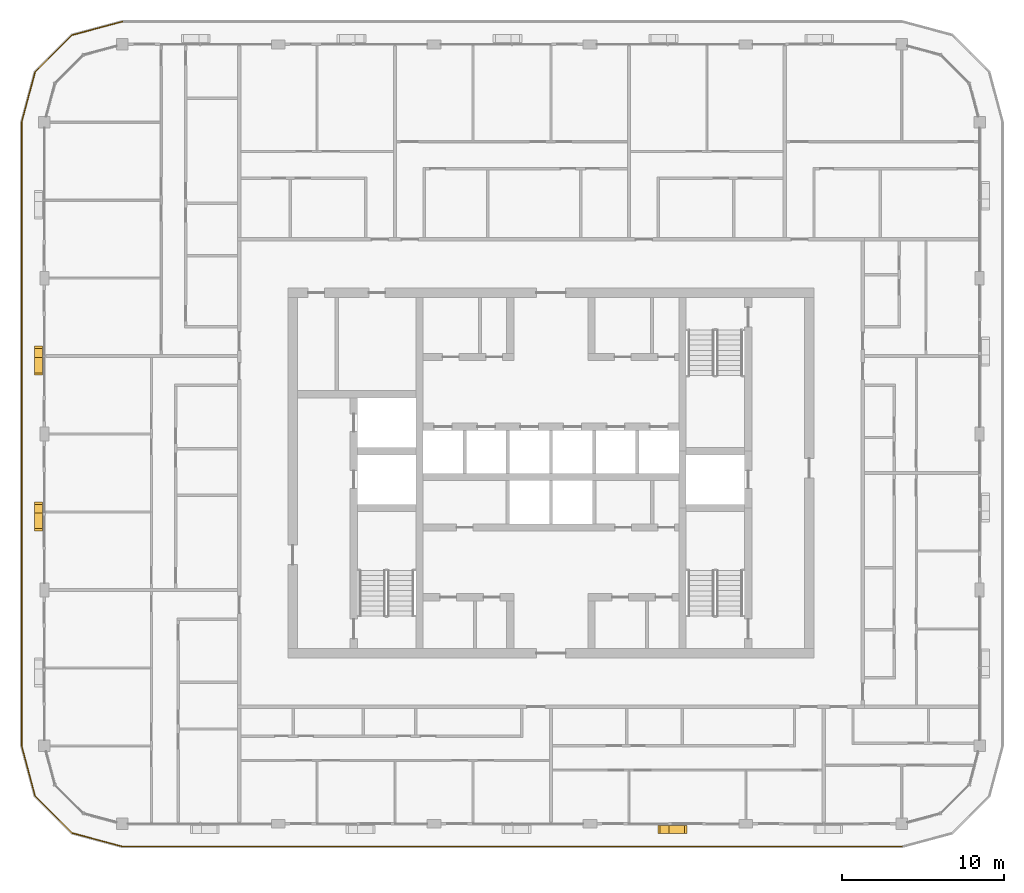
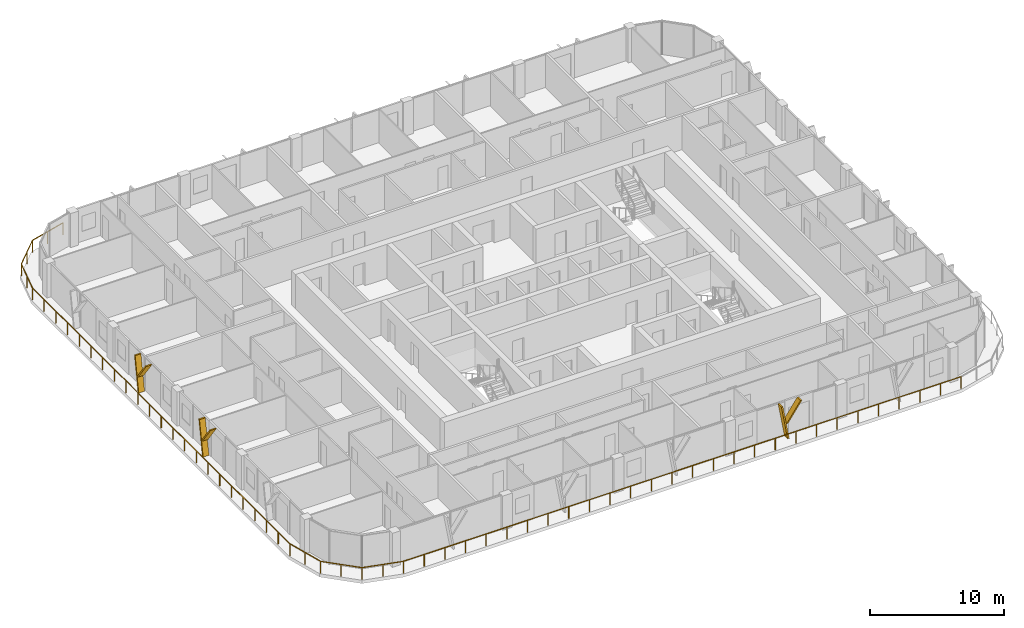
# One storey, part 18 of 22: 6 shading devices, 1 railing.
"""IFC4 building model written with IfcOpenShell, lengths in metres."""

from ifc_helpers import new_model, si_unit, direction, frame, origin, origin_2d, place, context, subcontext, project, spatial, polyline, circle, outline, extrude, material, type_object, element, save


model = new_model("IFC4")

# Units and contexts
model_context = context("Model", 3, precision=1e-05, world=origin(), true_north=direction((0.0, 1.0)))
body_context = subcontext(model_context, "Body", "Model", "MODEL_VIEW")
ifc_project = project(units=[si_unit("LENGTHUNIT", "METRE"), si_unit("AREAUNIT", "SQUARE_METRE"), si_unit("VOLUMEUNIT", "CUBIC_METRE"), si_unit("PLANEANGLEUNIT", "RADIAN"), si_unit("MASSUNIT", "GRAM", prefix="KILO")], contexts=[model_context])

# Site, building, storey
site_placement = place(None, origin())
site = spatial("IfcSite", under=ifc_project, at=site_placement, CompositionType="ELEMENT")
building_placement = place(site_placement, origin())
building = spatial("IfcBuilding", under=site, at=building_placement, Name="Madar Terraces", CompositionType="ELEMENT")
storey_placement = place(building_placement, frame((0.0, 0.0, 259.699951171875)))
storey = spatial("IfcBuildingStorey", under=building, at=storey_placement, Name="L68", CompositionType="ELEMENT", Elevation=259.699951171875)

# Railing
ifc_material_1 = material(Name="Glass, safety glazing, with stainless steel posts", Category="steel")
railing_type = type_object("IfcRailingType", Name="Balcony glass guard 1100", PredefinedType="GUARDRAIL", material=ifc_material_1)
railing_placement = place(storey_placement, frame((4.800048828125, 54.199951171875, 0.0)))
element("IfcRailing", 1, at=railing_placement, inside=storey, type_object=railing_type, Name="Balcony guard", PredefinedType="GUARDRAIL", context=body_context, shape_type="SweptSolid", body=[
    extrude(circle(Radius=0.02392578125, at=origin_2d()), frame((0.0, 0.0, 1.076171875), z_axis=(-0.9659337912, -0.258789317819, 0.0), x_axis=(0.258789317819, -0.9659337912, 0.0)), (0.0, 0.0, 1.0), 3.20947265625),
    extrude(circle(Radius=0.02392578125, at=origin_2d()), frame((-3.10009765625, -0.83056640625, 1.076171875), z_axis=(-0.707106781187, -0.707106781187, 0.0), x_axis=(0.707106781187, -0.707106781187, 0.0)), (0.0, 0.0, 1.0), 3.209228515625),
    extrude(circle(Radius=0.02392578125, at=origin_2d()), frame((-5.369384765625, -3.099853515625, 1.076171875), z_axis=(-0.258789317819, -0.9659337912, 0.0), x_axis=(0.9659337912, -0.258789317819, 0.0)), (0.0, 0.0, 1.0), 3.20947265625),
    extrude(circle(Radius=0.02392578125, at=origin_2d()), frame((-6.199951171875, -6.199951171875, 1.076171875), z_axis=(0.0, -1.0, 0.0), x_axis=(1.0, 0.0, 0.0)), (0.0, 0.0, 1.0), 38.39990234375),
    extrude(circle(Radius=0.02392578125, at=origin_2d()), frame((-6.199951171875, -44.599853515625, 1.076171875), z_axis=(0.258789317819, -0.9659337912, 0.0), x_axis=(0.9659337912, 0.258789317819, 0.0)), (0.0, 0.0, 1.0), 3.20947265625),
    extrude(circle(Radius=0.02392578125, at=origin_2d()), frame((-5.369384765625, -47.699951171875, 1.076171875), z_axis=(0.707106781187, -0.707106781187, 0.0), x_axis=(0.707106781187, 0.707106781187, 0.0)), (0.0, 0.0, 1.0), 3.209228515625),
    extrude(circle(Radius=0.02392578125, at=origin_2d()), frame((-3.10009765625, -49.96923828125, 1.076171875), z_axis=(0.965914773555, -0.258860290944, 0.0), x_axis=(0.258860290944, 0.965914773555, 0.0)), (0.0, 0.0, 1.0), 3.20947265625),
    extrude(circle(Radius=0.02392578125, at=origin_2d()), frame((0.0, -50.800048828125, 1.076171875), z_axis=(1.0, 0.0, 0.0), x_axis=(0.0, 1.0, 0.0)), (0.0, 0.0, 1.0), 48.0),
    extrude(circle(Radius=0.02099609375, at=origin_2d()), origin(), (0.0, 0.0, 1.0), 1.052001953125),
    extrude(circle(Radius=0.02099609375, at=origin_2d()), frame((-1.550048828125, -0.415283203125, 0.0)), (0.0, 0.0, 1.0), 1.052001953125),
    extrude(circle(Radius=0.02099609375, at=origin_2d()), frame((-3.10009765625, -0.83056640625, 0.0)), (0.0, 0.0, 1.0), 1.052001953125),
    extrude(circle(Radius=0.02099609375, at=origin_2d()), frame((-4.23486328125, -1.96533203125, 0.0)), (0.0, 0.0, 1.0), 1.052001953125),
    extrude(circle(Radius=0.02099609375, at=origin_2d()), frame((-5.369384765625, -3.099853515625, 0.0)), (0.0, 0.0, 1.0), 1.052001953125),
    extrude(circle(Radius=0.02099609375, at=origin_2d()), frame((-5.78466796875, -4.64990234375, 0.0)), (0.0, 0.0, 1.0), 1.052001953125),
    extrude(circle(Radius=0.02099609375, at=origin_2d()), frame((-6.199951171875, -6.199951171875, 0.0)), (0.0, 0.0, 1.0), 1.052001953125),
    extrude(circle(Radius=0.02099609375, at=origin_2d()), frame((-6.199951171875, -7.9453125, 0.0)), (0.0, 0.0, 1.0), 1.052001953125),
    extrude(circle(Radius=0.02099609375, at=origin_2d()), frame((-6.199951171875, -9.69091796875, 0.0)), (0.0, 0.0, 1.0), 1.052001953125),
    extrude(circle(Radius=0.02099609375, at=origin_2d()), frame((-6.199951171875, -11.436279296875, 0.0)), (0.0, 0.0, 1.0), 1.052001953125),
    extrude(circle(Radius=0.02099609375, at=origin_2d()), frame((-6.199951171875, -13.181640625, 0.0)), (0.0, 0.0, 1.0), 1.052001953125),
    extrude(circle(Radius=0.02099609375, at=origin_2d()), frame((-6.199951171875, -14.92724609375, 0.0)), (0.0, 0.0, 1.0), 1.052001953125),
    extrude(circle(Radius=0.02099609375, at=origin_2d()), frame((-6.199951171875, -16.672607421875, 0.0)), (0.0, 0.0, 1.0), 1.052001953125),
    extrude(circle(Radius=0.02099609375, at=origin_2d()), frame((-6.199951171875, -18.418212890625, 0.0)), (0.0, 0.0, 1.0), 1.052001953125),
    extrude(circle(Radius=0.02099609375, at=origin_2d()), frame((-6.199951171875, -20.16357421875, 0.0)), (0.0, 0.0, 1.0), 1.052001953125),
    extrude(circle(Radius=0.02099609375, at=origin_2d()), frame((-6.199951171875, -21.908935546875, 0.0)), (0.0, 0.0, 1.0), 1.052001953125),
    extrude(circle(Radius=0.02099609375, at=origin_2d()), frame((-6.199951171875, -23.654541015625, 0.0)), (0.0, 0.0, 1.0), 1.052001953125),
    extrude(circle(Radius=0.02099609375, at=origin_2d()), frame((-6.199951171875, -25.39990234375, 0.0)), (0.0, 0.0, 1.0), 1.052001953125),
    extrude(circle(Radius=0.02099609375, at=origin_2d()), frame((-6.199951171875, -27.145263671875, 0.0)), (0.0, 0.0, 1.0), 1.052001953125),
    extrude(circle(Radius=0.02099609375, at=origin_2d()), frame((-6.199951171875, -28.890869140625, 0.0)), (0.0, 0.0, 1.0), 1.052001953125),
    extrude(circle(Radius=0.02099609375, at=origin_2d()), frame((-6.199951171875, -30.63623046875, 0.0)), (0.0, 0.0, 1.0), 1.052001953125),
    extrude(circle(Radius=0.02099609375, at=origin_2d()), frame((-6.199951171875, -32.381591796875, 0.0)), (0.0, 0.0, 1.0), 1.052001953125),
    extrude(circle(Radius=0.02099609375, at=origin_2d()), frame((-6.199951171875, -34.127197265625, 0.0)), (0.0, 0.0, 1.0), 1.052001953125),
    extrude(circle(Radius=0.02099609375, at=origin_2d()), frame((-6.199951171875, -35.87255859375, 0.0)), (0.0, 0.0, 1.0), 1.052001953125),
    extrude(circle(Radius=0.02099609375, at=origin_2d()), frame((-6.199951171875, -37.6181640625, 0.0)), (0.0, 0.0, 1.0), 1.052001953125),
    extrude(circle(Radius=0.02099609375, at=origin_2d()), frame((-6.199951171875, -39.363525390625, 0.0)), (0.0, 0.0, 1.0), 1.052001953125),
    extrude(circle(Radius=0.02099609375, at=origin_2d()), frame((-6.199951171875, -41.10888671875, 0.0)), (0.0, 0.0, 1.0), 1.052001953125),
    extrude(circle(Radius=0.02099609375, at=origin_2d()), frame((-6.199951171875, -42.8544921875, 0.0)), (0.0, 0.0, 1.0), 1.052001953125),
    extrude(circle(Radius=0.02099609375, at=origin_2d()), frame((-6.199951171875, -44.599853515625, 0.0)), (0.0, 0.0, 1.0), 1.052001953125),
    extrude(circle(Radius=0.02099609375, at=origin_2d()), frame((-5.78466796875, -46.14990234375, 0.0)), (0.0, 0.0, 1.0), 1.052001953125),
    extrude(circle(Radius=0.02099609375, at=origin_2d()), frame((-5.369384765625, -47.699951171875, 0.0)), (0.0, 0.0, 1.0), 1.052001953125),
    extrude(circle(Radius=0.02099609375, at=origin_2d()), frame((-4.23486328125, -48.83447265625, 0.0)), (0.0, 0.0, 1.0), 1.052001953125),
    extrude(circle(Radius=0.02099609375, at=origin_2d()), frame((-3.10009765625, -49.96923828125, 0.0)), (0.0, 0.0, 1.0), 1.052001953125),
    extrude(circle(Radius=0.02099609375, at=origin_2d()), frame((-1.550048828125, -50.384765625, 0.0)), (0.0, 0.0, 1.0), 1.052001953125),
    extrude(circle(Radius=0.02099609375, at=origin_2d()), frame((0.0, -50.800048828125, 0.0)), (0.0, 0.0, 1.0), 1.052001953125),
    extrude(circle(Radius=0.02099609375, at=origin_2d()), frame((1.77783203125, -50.800048828125, 0.0)), (0.0, 0.0, 1.0), 1.052001953125),
    extrude(circle(Radius=0.02099609375, at=origin_2d()), frame((3.5556640625, -50.800048828125, 0.0)), (0.0, 0.0, 1.0), 1.052001953125),
    extrude(circle(Radius=0.02099609375, at=origin_2d()), frame((5.333251953125, -50.800048828125, 0.0)), (0.0, 0.0, 1.0), 1.052001953125),
    extrude(circle(Radius=0.02099609375, at=origin_2d()), frame((7.111083984375, -50.800048828125, 0.0)), (0.0, 0.0, 1.0), 1.052001953125),
    extrude(circle(Radius=0.02099609375, at=origin_2d()), frame((8.888916015625, -50.800048828125, 0.0)), (0.0, 0.0, 1.0), 1.052001953125),
    extrude(circle(Radius=0.02099609375, at=origin_2d()), frame((10.666748046875, -50.800048828125, 0.0)), (0.0, 0.0, 1.0), 1.052001953125),
    extrude(circle(Radius=0.02099609375, at=origin_2d()), frame((12.4443359375, -50.800048828125, 0.0)), (0.0, 0.0, 1.0), 1.052001953125),
    extrude(circle(Radius=0.02099609375, at=origin_2d()), frame((14.22216796875, -50.800048828125, 0.0)), (0.0, 0.0, 1.0), 1.052001953125),
    extrude(circle(Radius=0.02099609375, at=origin_2d()), frame((16.0, -50.800048828125, 0.0)), (0.0, 0.0, 1.0), 1.052001953125),
    extrude(circle(Radius=0.02099609375, at=origin_2d()), frame((17.77783203125, -50.800048828125, 0.0)), (0.0, 0.0, 1.0), 1.052001953125),
    extrude(circle(Radius=0.02099609375, at=origin_2d()), frame((19.5556640625, -50.800048828125, 0.0)), (0.0, 0.0, 1.0), 1.052001953125),
    extrude(circle(Radius=0.02099609375, at=origin_2d()), frame((21.333251953125, -50.800048828125, 0.0)), (0.0, 0.0, 1.0), 1.052001953125),
    extrude(circle(Radius=0.02099609375, at=origin_2d()), frame((23.111083984375, -50.800048828125, 0.0)), (0.0, 0.0, 1.0), 1.052001953125),
    extrude(circle(Radius=0.02099609375, at=origin_2d()), frame((24.888916015625, -50.800048828125, 0.0)), (0.0, 0.0, 1.0), 1.052001953125),
    extrude(circle(Radius=0.02099609375, at=origin_2d()), frame((26.666748046875, -50.800048828125, 0.0)), (0.0, 0.0, 1.0), 1.052001953125),
    extrude(circle(Radius=0.02099609375, at=origin_2d()), frame((28.4443359375, -50.800048828125, 0.0)), (0.0, 0.0, 1.0), 1.052001953125),
    extrude(circle(Radius=0.02099609375, at=origin_2d()), frame((30.22216796875, -50.800048828125, 0.0)), (0.0, 0.0, 1.0), 1.052001953125),
    extrude(circle(Radius=0.02099609375, at=origin_2d()), frame((32.0, -50.800048828125, 0.0)), (0.0, 0.0, 1.0), 1.052001953125),
    extrude(circle(Radius=0.02099609375, at=origin_2d()), frame((33.77783203125, -50.800048828125, 0.0)), (0.0, 0.0, 1.0), 1.052001953125),
    extrude(circle(Radius=0.02099609375, at=origin_2d()), frame((35.5556640625, -50.800048828125, 0.0)), (0.0, 0.0, 1.0), 1.052001953125),
    extrude(circle(Radius=0.02099609375, at=origin_2d()), frame((37.333251953125, -50.800048828125, 0.0)), (0.0, 0.0, 1.0), 1.052001953125),
    extrude(circle(Radius=0.02099609375, at=origin_2d()), frame((39.111083984375, -50.800048828125, 0.0)), (0.0, 0.0, 1.0), 1.052001953125),
    extrude(circle(Radius=0.02099609375, at=origin_2d()), frame((40.888916015625, -50.800048828125, 0.0)), (0.0, 0.0, 1.0), 1.052001953125),
    extrude(circle(Radius=0.02099609375, at=origin_2d()), frame((42.666748046875, -50.800048828125, 0.0)), (0.0, 0.0, 1.0), 1.052001953125),
    extrude(circle(Radius=0.02099609375, at=origin_2d()), frame((44.4443359375, -50.800048828125, 0.0)), (0.0, 0.0, 1.0), 1.052001953125),
    extrude(circle(Radius=0.02099609375, at=origin_2d()), frame((46.22216796875, -50.800048828125, 0.0)), (0.0, 0.0, 1.0), 1.052001953125),
    extrude(circle(Radius=0.02099609375, at=origin_2d()), frame((48.0, -50.800048828125, 0.0)), (0.0, 0.0, 1.0), 1.052001953125),
])

# Shading devices
ifc_material_2 = material(Name="Aluminium, black anodised", Category="aluminium")
shading_device_type = type_object("IfcShadingDeviceType", Name="Facade fin blade 140 x 500", PredefinedType="USERDEFINED", material=ifc_material_2)
shading_device_1_placement = place(storey_placement, frame((38.330078125, 4.449951171875, 0.0), z_axis=(0.0, 0.0, 1.0), x_axis=(1.0, 0.0, 0.0)))
element("IfcShadingDevice", 2, at=shading_device_1_placement, inside=storey, type_object=shading_device_type, Name="FIN L68 S4", ObjectType="FIN", PredefinedType="USERDEFINED", context=body_context, shape_type="SweptSolid", body=[
    extrude(outline(polyline([(0.0, 0.0), (0.139892578125, 0.0), (-0.403076171875, 3.080078125), (-0.54296875, 3.080078125), (0.0, 0.0)])), frame((0.0, 0.25, 0.0), z_axis=(0.0, -1.0, 0.0), x_axis=(1.0, 0.0, 0.0)), (0.0, 0.0, 1.0), 0.5),
])
shading_device_2_placement = place(storey_placement, frame((38.2255859375, 4.449951171875, 1.385986328125), z_axis=(0.0, 0.0, 1.0), x_axis=(1.0, 0.0, 0.0)))
element("IfcShadingDevice", 3, at=shading_device_2_placement, inside=storey, type_object=shading_device_type, Name="FIN L68 S4 branch", ObjectType="FIN", PredefinedType="USERDEFINED", context=body_context, shape_type="SweptSolid", body=[
    extrude(outline(polyline([(0.0, 0.0), (0.14013671875, 0.0), (1.34130859375, 1.694091796875), (1.201416015625, 1.694091796875), (0.0, 0.0)])), frame((0.0, 0.25, 0.0), z_axis=(0.0, -1.0, 0.0), x_axis=(1.0, 0.0, 0.0)), (0.0, 0.0, 1.0), 0.5),
])
shading_device_3_placement = place(storey_placement, frame((-0.35009765625, 33.669921875, 0.0), z_axis=(0.0, 0.0, 1.0), x_axis=(0.0, -1.0, 0.0)))
element("IfcShadingDevice", 4, at=shading_device_3_placement, inside=storey, type_object=shading_device_type, Name="FIN L68 W2", ObjectType="FIN", PredefinedType="USERDEFINED", context=body_context, shape_type="SweptSolid", body=[
    extrude(outline(polyline([(0.0, 0.0), (0.139892578125, 0.0), (-0.403076171875, 3.080078125), (-0.54296875, 3.080078125), (0.0, 0.0)])), frame((0.0, 0.25, 0.0), z_axis=(0.0, -1.0, 0.0), x_axis=(1.0, 0.0, 0.0)), (0.0, 0.0, 1.0), 0.5),
])
shading_device_4_placement = place(storey_placement, frame((-0.35009765625, 33.7744140625, 1.385986328125), z_axis=(0.0, 0.0, 1.0), x_axis=(0.0, -1.0, 0.0)))
element("IfcShadingDevice", 5, at=shading_device_4_placement, inside=storey, type_object=shading_device_type, Name="FIN L68 W2 branch", ObjectType="FIN", PredefinedType="USERDEFINED", context=body_context, shape_type="SweptSolid", body=[
    extrude(outline(polyline([(0.0, 0.0), (0.14013671875, 0.0), (1.34130859375, 1.694091796875), (1.201416015625, 1.694091796875), (0.0, 0.0)])), frame((0.0, 0.25, 0.0), z_axis=(0.0, -1.0, 0.0), x_axis=(1.0, 0.0, 0.0)), (0.0, 0.0, 1.0), 0.5),
])
shading_device_5_placement = place(storey_placement, frame((-0.35009765625, 24.070068359375, 0.0), z_axis=(0.0, 0.0, 1.0), x_axis=(0.0, -1.0, 0.0)))
element("IfcShadingDevice", 6, at=shading_device_5_placement, inside=storey, type_object=shading_device_type, Name="FIN L68 W3", ObjectType="FIN", PredefinedType="USERDEFINED", context=body_context, shape_type="SweptSolid", body=[
    extrude(outline(polyline([(0.0, 0.0), (0.14013671875, 0.0), (-0.403076171875, 3.080078125), (-0.54296875, 3.080078125), (0.0, 0.0)])), frame((0.0, 0.25, 0.0), z_axis=(0.0, -1.0, 0.0), x_axis=(1.0, 0.0, 0.0)), (0.0, 0.0, 1.0), 0.5),
])
shading_device_6_placement = place(storey_placement, frame((-0.35009765625, 24.17431640625, 1.385986328125), z_axis=(0.0, 0.0, 1.0), x_axis=(0.0, -1.0, 0.0)))
element("IfcShadingDevice", 7, at=shading_device_6_placement, inside=storey, type_object=shading_device_type, Name="FIN L68 W3 branch", ObjectType="FIN", PredefinedType="USERDEFINED", context=body_context, shape_type="SweptSolid", body=[
    extrude(outline(polyline([(0.0, 0.0), (0.139892578125, 0.0), (1.34130859375, 1.694091796875), (1.201416015625, 1.694091796875), (0.0, 0.0)])), frame((0.0, 0.25, 0.0), z_axis=(0.0, -1.0, 0.0), x_axis=(1.0, 0.0, 0.0)), (0.0, 0.0, 1.0), 0.5),
])

save(model, "model.ifc")
